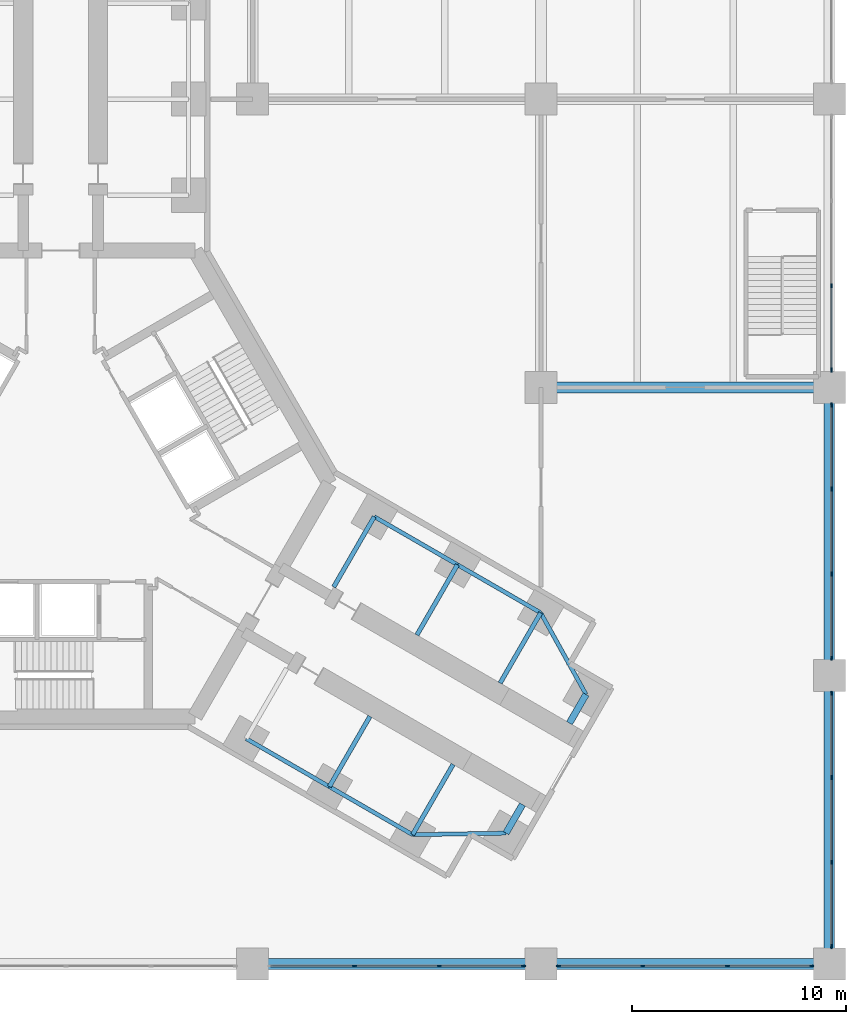
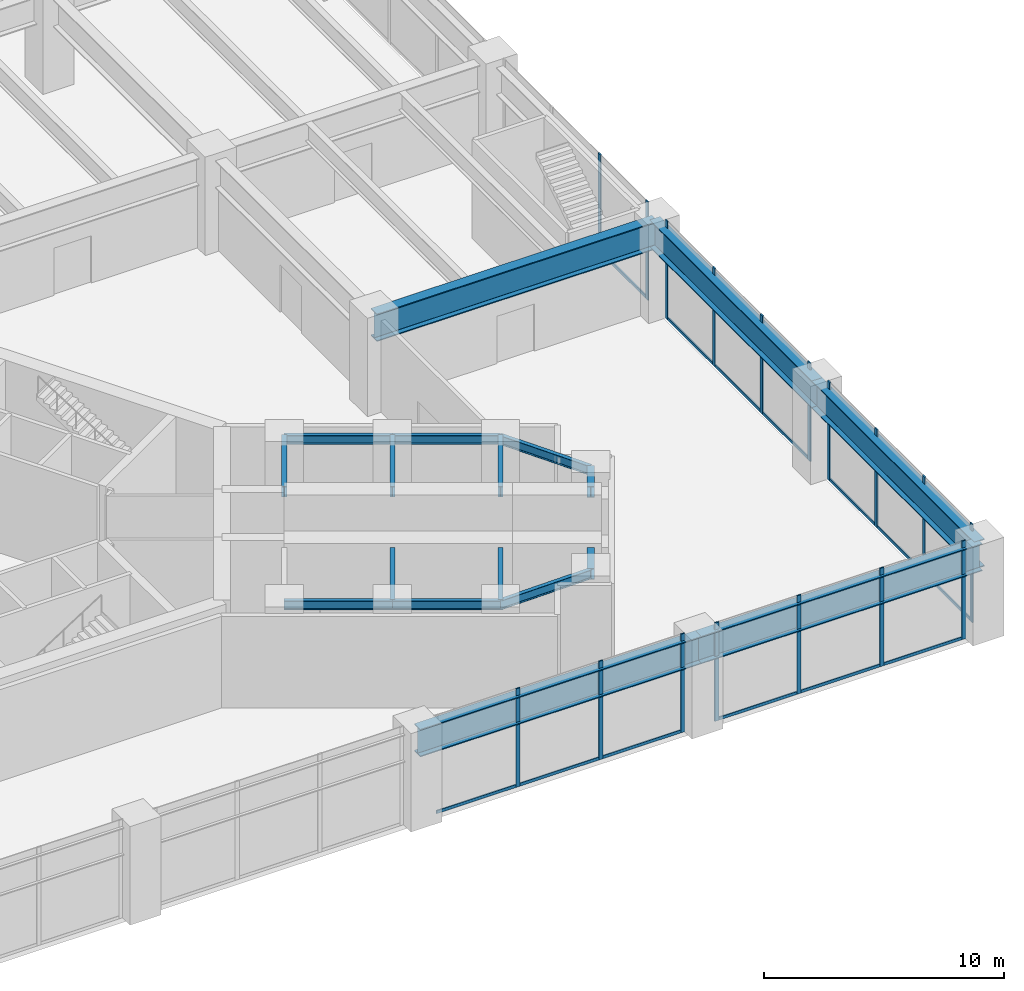
# One storey, part 10 of 31: 30 members, 18 beams, 5 elements without a shape of their own.
"""IFC4 building model written with IfcOpenShell, lengths in metres."""

from ifc_helpers import new_model, si_unit, direction, frame, origin, origin_2d, place, context, subcontext, project, spatial, rectangle, i_section, extrude, material, material_profile, profile_set, type_object, element, aggregate, save


model = new_model("IFC4")

# Units and contexts
model_context = context("Model", 3, precision=1e-05, world=origin(), true_north=direction((0.0, 1.0)))
body_context = subcontext(model_context, "Body", "Model", "MODEL_VIEW")
ifc_project = project(units=[si_unit("LENGTHUNIT", "METRE"), si_unit("AREAUNIT", "SQUARE_METRE"), si_unit("VOLUMEUNIT", "CUBIC_METRE"), si_unit("PLANEANGLEUNIT", "RADIAN"), si_unit("MASSUNIT", "GRAM", prefix="KILO")], contexts=[model_context])

# Site, building, storey
site_placement = place(None, origin())
site = spatial("IfcSite", under=ifc_project, at=site_placement, CompositionType="ELEMENT")
building_placement = place(site_placement, origin())
building = spatial("IfcBuilding", under=site, at=building_placement, Name="Upepo Twin Towers", CompositionType="ELEMENT")
storey_placement = place(building_placement, frame((0.0, 0.0, 15.5)))
storey = spatial("IfcBuildingStorey", under=building, at=storey_placement, Name="L03", CompositionType="ELEMENT", Elevation=15.5)

# Beams
ifc_material_1 = material(Name="Steel S355", Category="steel")
ifc_material_profile_1 = material_profile(ifc_material_1, i_section(OverallWidth=0.5, OverallDepth=1.39990234375, WebThickness=0.02490234375, FlangeThickness=0.050048828125, FilletRadius=0.008056640625, at=origin_2d()), Name="PG 1400x500x25x50")
ifc_profile_set_1 = profile_set([ifc_material_profile_1], Name="Steel S355")
beam_type_1 = type_object("IfcBeamType", Name="Beam PG 1400x500x25x50", PredefinedType="BEAM", material=ifc_profile_set_1)
for number, where, z_axis, x_axis, name in (
    (1, (67.5, -40.5, 3.949951171875), (1.0, 0.0, 0.0), (0.0, 1.0, 0.0), "Podium girder A/8-9"),
    (2, (81.0, -40.5, 3.949951171875), (1.0, 0.0, 0.0), (0.0, 1.0, 0.0), "Podium girder A/9-10"),
    (3, (81.0, -13.5, 3.949951171875), (1.0, 0.0, 0.0), (0.0, 1.0, 0.0), "Podium girder C/9-10"),
    (4, (94.5, -40.5, 3.949951171875), (0.0, 1.0, 0.0), (-1.0, 0.0, 0.0), "Podium girder 10/A-B"),
    (5, (94.5, -27.0, 3.949951171875), (0.0, 1.0, 0.0), (-1.0, 0.0, 0.0), "Podium girder 10/B-C"),
):
    element("IfcBeam", number, at=place(storey_placement, frame(where, z_axis=z_axis, x_axis=x_axis)), inside=storey, type_object=beam_type_1, Name=name, PredefinedType="BEAM", context=body_context, shape_type="SweptSolid", body=[
        extrude(i_section(OverallWidth=0.5, OverallDepth=1.39990234375, WebThickness=0.02490234375, FlangeThickness=0.050048828125, FilletRadius=0.008056640625, at=origin_2d()), origin(), (0.0, 0.0, 1.0), 13.5),
    ])
ifc_material_2 = material(Name="Steel S355", Category="steel")
ifc_material_profile_2 = material_profile(ifc_material_2, i_section(OverallWidth=0.1904296875, OverallDepth=0.45703125, WebThickness=0.009033203125, FlangeThickness=0.014404296875, FilletRadius=0.01025390625, at=origin_2d()), Name="UB 457x191x74")
ifc_profile_set_2 = profile_set([ifc_material_profile_2], Name="Steel S355")
beam_type_2 = type_object("IfcBeamType", Name="Beam UB 457x191x74", PredefinedType="BEAM", material=ifc_profile_set_2)
beam_1_placement = place(storey_placement, frame((73.19140625, -19.553955078125, 4.571533203125), z_axis=(0.866017533419, -0.500013631625, 0.0), x_axis=(0.500013631625, 0.866017533419, 0.0)))
element("IfcBeam", 6, at=beam_1_placement, inside=storey, type_object=beam_type_2, Name="T2 edge beam CL 13.5-18.0", PredefinedType="BEAM", context=body_context, shape_type="SweptSolid", body=[
    extrude(i_section(OverallWidth=0.1904296875, OverallDepth=0.45703125, WebThickness=0.009033203125, FlangeThickness=0.014404296875, FilletRadius=0.01025390625, at=origin_2d()), origin(), (0.0, 0.0, 1.0), 4.499755859375),
])
beam_2_placement = place(storey_placement, frame((77.08837890625, -21.803955078125, 4.571533203125), z_axis=(0.866031096941, -0.499990139034, 0.0), x_axis=(0.499990139034, 0.866031096941, 0.0)))
element("IfcBeam", 7, at=beam_2_placement, inside=storey, type_object=beam_type_2, Name="T2 edge beam CL 18.0-22.5", PredefinedType="BEAM", context=body_context, shape_type="SweptSolid", body=[
    extrude(i_section(OverallWidth=0.1904296875, OverallDepth=0.45703125, WebThickness=0.009033203125, FlangeThickness=0.014404296875, FilletRadius=0.01025390625, at=origin_2d()), origin(), (0.0, 0.0, 1.0), 4.5),
])
beam_3_placement = place(storey_placement, frame((80.985595703125, -24.053955078125, 4.571533203125), z_axis=(0.485363242752, -0.874312600038, 0.0), x_axis=(0.874312600038, 0.485363242752, 0.0)))
element("IfcBeam", 8, at=beam_3_placement, inside=storey, type_object=beam_type_2, Name="T2 nose edge beam CL", PredefinedType="BEAM", context=body_context, shape_type="SweptSolid", body=[
    extrude(i_section(OverallWidth=0.1904296875, OverallDepth=0.45703125, WebThickness=0.009033203125, FlangeThickness=0.014404296875, FilletRadius=0.01025390625, at=origin_2d()), origin(), (0.0, 0.0, 1.0), 4.373046875),
])
beam_4_placement = place(storey_placement, frame((67.19140625, -29.946044921875, 4.571533203125), z_axis=(0.866017533419, -0.500013631625, 0.0), x_axis=(0.500013631625, 0.866017533419, 0.0)))
element("IfcBeam", 9, at=beam_4_placement, inside=storey, type_object=beam_type_2, Name="T2 edge beam CR 13.5-18.0", PredefinedType="BEAM", context=body_context, shape_type="SweptSolid", body=[
    extrude(i_section(OverallWidth=0.1904296875, OverallDepth=0.45703125, WebThickness=0.009033203125, FlangeThickness=0.014404296875, FilletRadius=0.01025390625, at=origin_2d()), origin(), (0.0, 0.0, 1.0), 4.499755859375),
])
beam_5_placement = place(storey_placement, frame((71.08837890625, -32.196044921875, 4.571533203125), z_axis=(0.866031096941, -0.499990139034, 0.0), x_axis=(0.499990139034, 0.866031096941, 0.0)))
element("IfcBeam", 10, at=beam_5_placement, inside=storey, type_object=beam_type_2, Name="T2 edge beam CR 18.0-22.5", PredefinedType="BEAM", context=body_context, shape_type="SweptSolid", body=[
    extrude(i_section(OverallWidth=0.1904296875, OverallDepth=0.45703125, WebThickness=0.009033203125, FlangeThickness=0.014404296875, FilletRadius=0.01025390625, at=origin_2d()), origin(), (0.0, 0.0, 1.0), 4.5),
])
beam_6_placement = place(storey_placement, frame((74.985595703125, -34.446044921875, 4.571533203125), z_axis=(0.999858804832, 0.016803880528, 0.0), x_axis=(-0.016803880528, 0.999858804832, 0.0)))
element("IfcBeam", 11, at=beam_6_placement, inside=storey, type_object=beam_type_2, Name="T2 nose edge beam CR", PredefinedType="BEAM", context=body_context, shape_type="SweptSolid", body=[
    extrude(i_section(OverallWidth=0.1904296875, OverallDepth=0.45703125, WebThickness=0.009033203125, FlangeThickness=0.014404296875, FilletRadius=0.01025390625, at=origin_2d()), origin(), (0.0, 0.0, 1.0), 4.373291015625),
])
ifc_material_3 = material(Name="Steel S355", Category="steel")
ifc_material_profile_3 = material_profile(ifc_material_3, i_section(OverallWidth=0.209228515625, OverallDepth=0.533203125, WebThickness=0.010009765625, FlangeThickness=0.015625, FilletRadius=0.0126953125, at=origin_2d()), Name="UB 533x210x92")
ifc_profile_set_3 = profile_set([ifc_material_profile_3], Name="Steel S355")
beam_type_3 = type_object("IfcBeamType", Name="Beam UB 533x210x92", PredefinedType="BEAM", material=ifc_profile_set_3)
beam_7_placement = place(storey_placement, frame((73.19140625, -19.553955078125, 4.533447265625), z_axis=(-0.500043160704, -0.866000483506, 0.0), x_axis=(0.866000483506, -0.500043160704, 0.0)))
element("IfcBeam", 12, at=beam_7_placement, inside=storey, type_object=beam_type_3, Name="T2 girder CL at 13.5", PredefinedType="BEAM", context=body_context, shape_type="SweptSolid", body=[
    extrude(i_section(OverallWidth=0.209228515625, OverallDepth=0.533203125, WebThickness=0.010009765625, FlangeThickness=0.015625, FilletRadius=0.0126953125, at=origin_2d()), origin(), (0.0, 0.0, 1.0), 3.800048828125),
])
for number, where, z_axis, x_axis, name in (
    (13, (77.08837890625, -21.803955078125, 4.533447265625), (-0.499994975061, -0.866028304915, 0.0), (0.866028304915, -0.499994975061, 0.0), "T2 girder CL at 18.0"),
    (14, (80.985595703125, -24.053955078125, 4.533447265625), (-0.499994975061, -0.866028304915, 0.0), (0.866028304915, -0.499994975061, 0.0), "T2 girder CL at 22.5"),
):
    element("IfcBeam", number, at=place(storey_placement, frame(where, z_axis=z_axis, x_axis=x_axis)), inside=storey, type_object=beam_type_3, Name=name, PredefinedType="BEAM", context=body_context, shape_type="SweptSolid", body=[
        extrude(i_section(OverallWidth=0.209228515625, OverallDepth=0.533203125, WebThickness=0.010009765625, FlangeThickness=0.015625, FilletRadius=0.0126953125, at=origin_2d()), origin(), (0.0, 0.0, 1.0), 3.7998046875),
    ])
beam_8_placement = place(storey_placement, frame((71.08837890625, -32.196044921875, 4.533447265625), z_axis=(0.500043160704, 0.866000483506, 0.0), x_axis=(-0.866000483506, 0.500043160704, 0.0)))
element("IfcBeam", 15, at=beam_8_placement, inside=storey, type_object=beam_type_3, Name="T2 girder CR at 18.0", PredefinedType="BEAM", context=body_context, shape_type="SweptSolid", body=[
    extrude(i_section(OverallWidth=0.209228515625, OverallDepth=0.533203125, WebThickness=0.010009765625, FlangeThickness=0.015625, FilletRadius=0.0126953125, at=origin_2d()), origin(), (0.0, 0.0, 1.0), 3.800048828125),
])
beam_9_placement = place(storey_placement, frame((74.985595703125, -34.446044921875, 4.533447265625), z_axis=(0.499994975061, 0.866028304915, 0.0), x_axis=(-0.866028304915, 0.499994975061, 0.0)))
element("IfcBeam", 16, at=beam_9_placement, inside=storey, type_object=beam_type_3, Name="T2 girder CR at 22.5", PredefinedType="BEAM", context=body_context, shape_type="SweptSolid", body=[
    extrude(i_section(OverallWidth=0.209228515625, OverallDepth=0.533203125, WebThickness=0.010009765625, FlangeThickness=0.015625, FilletRadius=0.0126953125, at=origin_2d()), origin(), (0.0, 0.0, 1.0), 3.7998046875),
])
ifc_material_4 = material(Name="Steel S355", Category="steel")
ifc_material_profile_4 = material_profile(ifc_material_4, i_section(OverallWidth=0.31201171875, OverallDepth=0.54345703125, WebThickness=0.0126953125, FlangeThickness=0.020263671875, FilletRadius=0.0126953125, at=origin_2d()), Name="UB 533x312x150")
ifc_profile_set_4 = profile_set([ifc_material_profile_4], Name="Steel S355")
beam_type_4 = type_object("IfcBeamType", Name="Beam UB 533x312x150", PredefinedType="BEAM", material=ifc_profile_set_4)
for number, where, z_axis, x_axis, name in (
    (17, (83.108154296875, -27.87744140625, 4.5283203125), (-0.499967891604, -0.866043940782, 0.0), (0.866043940782, -0.499967891604, 0.0), "T2 nose beam CL"),
    (18, (79.358154296875, -34.37255859375, 4.5283203125), (0.499967891604, 0.866043940782, 0.0), (-0.866043940782, 0.499967891604, 0.0), "T2 nose beam CR"),
):
    element("IfcBeam", number, at=place(storey_placement, frame(where, z_axis=z_axis, x_axis=x_axis)), inside=storey, type_object=beam_type_4, Name=name, PredefinedType="BEAM", context=body_context, shape_type="SweptSolid", body=[
        extrude(i_section(OverallWidth=0.31201171875, OverallDepth=0.54345703125, WebThickness=0.0126953125, FlangeThickness=0.020263671875, FilletRadius=0.0126953125, at=origin_2d()), origin(), (0.0, 0.0, 1.0), 1.5498046875),
    ])

# Curtain wall, members
ifc_material_5 = material(Name="Aluminium and clear glass", Category="aluminium")
curtain_wall_type = type_object("IfcCurtainWallType", Name="Podium curtain wall PW1", PredefinedType="NOTDEFINED", material=ifc_material_5)
curtain_wall_1_placement = place(storey_placement, origin())
curtain_wall_1 = element("IfcCurtainWall", 19, at=curtain_wall_1_placement, inside=storey, type_object=curtain_wall_type, Name="Podium L03 curtain wall S8", PredefinedType="NOTDEFINED")
ifc_material_6 = material(Name="Aluminium mullion", Category="aluminium")
ifc_material_profile_5 = material_profile(ifc_material_6, rectangle(XDim=0.06494140625, YDim=0.199951171875, at=origin_2d()), Name="MULLION 65x200 PODIUM")
ifc_profile_set_5 = profile_set([ifc_material_profile_5], Name="Aluminium mullion")
member_type_1 = type_object("IfcMemberType", Name="Mullion 65x200 PW1", PredefinedType="MULLION", material=ifc_profile_set_5)
member_1_placement = place(storey_placement, frame((72.26171875, -40.60009765625, 0.0), z_axis=(0.0, 0.0, 1.0), x_axis=(0.0, 1.0, 0.0)))
member_1 = element("IfcMember", 20, at=member_1_placement, type_object=member_type_1, Name="Podium L03 curtain wall S8 mullion 2", PredefinedType="MULLION", context=body_context, shape_type="SweptSolid", body=[
    extrude(rectangle(XDim=0.06494140625, YDim=0.199951171875, at=origin_2d()), origin(), (0.0, 0.0, 1.0), 5.0),
])
member_2_placement = place(storey_placement, frame((76.23828125, -40.60009765625, 0.0), z_axis=(0.0, 0.0, 1.0), x_axis=(0.0, 1.0, 0.0)))
member_2 = element("IfcMember", 21, at=member_2_placement, type_object=member_type_1, Name="Podium L03 curtain wall S8 mullion 3", PredefinedType="MULLION", context=body_context, shape_type="SweptSolid", body=[
    extrude(rectangle(XDim=0.06494140625, YDim=0.199951171875, at=origin_2d()), origin(), (0.0, 0.0, 1.0), 5.0),
])
member_3_placement = place(storey_placement, frame((80.1826171875, -40.60009765625, 0.0), z_axis=(0.0, 0.0, 1.0), x_axis=(0.0, 1.0, 0.0)))
member_3 = element("IfcMember", 22, at=member_3_placement, type_object=member_type_1, Name="Podium L03 curtain wall S8 mullion 4", PredefinedType="MULLION", context=body_context, shape_type="SweptSolid", body=[
    extrude(rectangle(XDim=0.06494140625, YDim=0.199951171875, at=origin_2d()), origin(), (0.0, 0.0, 1.0), 5.0),
])

curtain_wall_2_placement = place(storey_placement, origin())
curtain_wall_2 = element("IfcCurtainWall", 23, at=curtain_wall_2_placement, inside=storey, type_object=curtain_wall_type, Name="Podium L03 curtain wall S9", PredefinedType="NOTDEFINED")
member_4_placement = place(storey_placement, frame((81.8173828125, -40.60009765625, 0.0), z_axis=(0.0, 0.0, 1.0), x_axis=(0.0, 1.0, 0.0)))
member_4 = element("IfcMember", 24, at=member_4_placement, type_object=member_type_1, Name="Podium L03 curtain wall S9 mullion 1", PredefinedType="MULLION", context=body_context, shape_type="SweptSolid", body=[
    extrude(rectangle(XDim=0.06494140625, YDim=0.199951171875, at=origin_2d()), origin(), (0.0, 0.0, 1.0), 5.0),
])
member_5_placement = place(storey_placement, frame((85.76171875, -40.60009765625, 0.0), z_axis=(0.0, 0.0, 1.0), x_axis=(0.0, 1.0, 0.0)))
member_5 = element("IfcMember", 25, at=member_5_placement, type_object=member_type_1, Name="Podium L03 curtain wall S9 mullion 2", PredefinedType="MULLION", context=body_context, shape_type="SweptSolid", body=[
    extrude(rectangle(XDim=0.06494140625, YDim=0.199951171875, at=origin_2d()), origin(), (0.0, 0.0, 1.0), 5.0),
])
member_6_placement = place(storey_placement, frame((89.73828125, -40.60009765625, 0.0), z_axis=(0.0, 0.0, 1.0), x_axis=(0.0, 1.0, 0.0)))
member_6 = element("IfcMember", 26, at=member_6_placement, type_object=member_type_1, Name="Podium L03 curtain wall S9 mullion 3", PredefinedType="MULLION", context=body_context, shape_type="SweptSolid", body=[
    extrude(rectangle(XDim=0.06494140625, YDim=0.199951171875, at=origin_2d()), origin(), (0.0, 0.0, 1.0), 5.0),
])
member_7_placement = place(storey_placement, frame((93.6826171875, -40.60009765625, 0.0), z_axis=(0.0, 0.0, 1.0), x_axis=(0.0, 1.0, 0.0)))
member_7 = element("IfcMember", 27, at=member_7_placement, type_object=member_type_1, Name="Podium L03 curtain wall S9 mullion 4", PredefinedType="MULLION", context=body_context, shape_type="SweptSolid", body=[
    extrude(rectangle(XDim=0.06494140625, YDim=0.199951171875, at=origin_2d()), origin(), (0.0, 0.0, 1.0), 5.0),
])

curtain_wall_3_placement = place(storey_placement, origin())
curtain_wall_3 = element("IfcCurtainWall", 28, at=curtain_wall_3_placement, inside=storey, type_object=curtain_wall_type, Name="Podium L03 curtain wall E1", PredefinedType="NOTDEFINED")
member_8_placement = place(storey_placement, frame((94.60009765625, -39.6826171875, 0.0), z_axis=(0.0, 0.0, 1.0), x_axis=(-1.0, 0.0, 0.0)))
member_8 = element("IfcMember", 29, at=member_8_placement, type_object=member_type_1, Name="Podium L03 curtain wall E1 mullion 1", PredefinedType="MULLION", context=body_context, shape_type="SweptSolid", body=[
    extrude(rectangle(XDim=0.06494140625, YDim=0.199951171875, at=origin_2d()), origin(), (0.0, 0.0, 1.0), 5.0),
])
member_9_placement = place(storey_placement, frame((94.60009765625, -35.73828125, 0.0), z_axis=(0.0, 0.0, 1.0), x_axis=(-1.0, 0.0, 0.0)))
member_9 = element("IfcMember", 30, at=member_9_placement, type_object=member_type_1, Name="Podium L03 curtain wall E1 mullion 2", PredefinedType="MULLION", context=body_context, shape_type="SweptSolid", body=[
    extrude(rectangle(XDim=0.06494140625, YDim=0.199951171875, at=origin_2d()), origin(), (0.0, 0.0, 1.0), 5.0),
])
member_10_placement = place(storey_placement, frame((94.60009765625, -31.76171875, 0.0), z_axis=(0.0, 0.0, 1.0), x_axis=(-1.0, 0.0, 0.0)))
member_10 = element("IfcMember", 31, at=member_10_placement, type_object=member_type_1, Name="Podium L03 curtain wall E1 mullion 3", PredefinedType="MULLION", context=body_context, shape_type="SweptSolid", body=[
    extrude(rectangle(XDim=0.06494140625, YDim=0.199951171875, at=origin_2d()), origin(), (0.0, 0.0, 1.0), 5.0),
])
member_11_placement = place(storey_placement, frame((94.60009765625, -27.8173828125, 0.0), z_axis=(0.0, 0.0, 1.0), x_axis=(-1.0, 0.0, 0.0)))
member_11 = element("IfcMember", 32, at=member_11_placement, type_object=member_type_1, Name="Podium L03 curtain wall E1 mullion 4", PredefinedType="MULLION", context=body_context, shape_type="SweptSolid", body=[
    extrude(rectangle(XDim=0.06494140625, YDim=0.199951171875, at=origin_2d()), origin(), (0.0, 0.0, 1.0), 5.0),
])

curtain_wall_4_placement = place(storey_placement, origin())
curtain_wall_4 = element("IfcCurtainWall", 33, at=curtain_wall_4_placement, inside=storey, type_object=curtain_wall_type, Name="Podium L03 curtain wall E2", PredefinedType="NOTDEFINED")
member_12_placement = place(storey_placement, frame((94.60009765625, -26.1826171875, 0.0), z_axis=(0.0, 0.0, 1.0), x_axis=(-1.0, 0.0, 0.0)))
member_12 = element("IfcMember", 34, at=member_12_placement, type_object=member_type_1, Name="Podium L03 curtain wall E2 mullion 1", PredefinedType="MULLION", context=body_context, shape_type="SweptSolid", body=[
    extrude(rectangle(XDim=0.06494140625, YDim=0.199951171875, at=origin_2d()), origin(), (0.0, 0.0, 1.0), 5.0),
])
member_13_placement = place(storey_placement, frame((94.60009765625, -22.23828125, 0.0), z_axis=(0.0, 0.0, 1.0), x_axis=(-1.0, 0.0, 0.0)))
member_13 = element("IfcMember", 35, at=member_13_placement, type_object=member_type_1, Name="Podium L03 curtain wall E2 mullion 2", PredefinedType="MULLION", context=body_context, shape_type="SweptSolid", body=[
    extrude(rectangle(XDim=0.06494140625, YDim=0.199951171875, at=origin_2d()), origin(), (0.0, 0.0, 1.0), 5.0),
])
member_14_placement = place(storey_placement, frame((94.60009765625, -18.26171875, 0.0), z_axis=(0.0, 0.0, 1.0), x_axis=(-1.0, 0.0, 0.0)))
member_14 = element("IfcMember", 36, at=member_14_placement, type_object=member_type_1, Name="Podium L03 curtain wall E2 mullion 3", PredefinedType="MULLION", context=body_context, shape_type="SweptSolid", body=[
    extrude(rectangle(XDim=0.06494140625, YDim=0.199951171875, at=origin_2d()), origin(), (0.0, 0.0, 1.0), 5.0),
])
member_15_placement = place(storey_placement, frame((94.60009765625, -14.3173828125, 0.0), z_axis=(0.0, 0.0, 1.0), x_axis=(-1.0, 0.0, 0.0)))
member_15 = element("IfcMember", 37, at=member_15_placement, type_object=member_type_1, Name="Podium L03 curtain wall E2 mullion 4", PredefinedType="MULLION", context=body_context, shape_type="SweptSolid", body=[
    extrude(rectangle(XDim=0.06494140625, YDim=0.199951171875, at=origin_2d()), origin(), (0.0, 0.0, 1.0), 5.0),
])

curtain_wall_5_placement = place(storey_placement, origin())
curtain_wall_5 = element("IfcCurtainWall", 38, at=curtain_wall_5_placement, inside=storey, type_object=curtain_wall_type, Name="Podium L03 curtain wall E3", PredefinedType="NOTDEFINED")
member_16_placement = place(storey_placement, frame((94.60009765625, -12.6826171875, 0.0), z_axis=(0.0, 0.0, 1.0), x_axis=(-1.0, 0.0, 0.0)))
member_16 = element("IfcMember", 39, at=member_16_placement, type_object=member_type_1, Name="Podium L03 curtain wall E3 mullion 1", PredefinedType="MULLION", context=body_context, shape_type="SweptSolid", body=[
    extrude(rectangle(XDim=0.06494140625, YDim=0.199951171875, at=origin_2d()), origin(), (0.0, 0.0, 1.0), 5.0),
])
member_17_placement = place(storey_placement, frame((94.60009765625, -8.73828125, 0.0), z_axis=(0.0, 0.0, 1.0), x_axis=(-1.0, 0.0, 0.0)))
member_17 = element("IfcMember", 40, at=member_17_placement, type_object=member_type_1, Name="Podium L03 curtain wall E3 mullion 2", PredefinedType="MULLION", context=body_context, shape_type="SweptSolid", body=[
    extrude(rectangle(XDim=0.06494140625, YDim=0.199951171875, at=origin_2d()), origin(), (0.0, 0.0, 1.0), 5.0),
])

# Member
ifc_material_7 = material(Name="Aluminium transom", Category="aluminium")
ifc_material_profile_6 = material_profile(ifc_material_7, rectangle(XDim=0.06494140625, YDim=0.14990234375, at=origin_2d()), Name="TRANSOM 65x150 PODIUM")
ifc_profile_set_6 = profile_set([ifc_material_profile_6], Name="Aluminium transom")
member_type_2 = type_object("IfcMemberType", Name="Transom 65x150 PW1", PredefinedType="USERDEFINED", material=ifc_profile_set_6)
member_18_placement = place(storey_placement, frame((68.35009765625, -40.60009765625, 0.074951171875), z_axis=(1.0, 0.0, 0.0), x_axis=(0.0, 1.0, 0.0)))
member_18 = element("IfcMember", 41, at=member_18_placement, type_object=member_type_2, Name="Podium L03 curtain wall S8 transom 1", ObjectType="TRANSOM", PredefinedType="USERDEFINED", context=body_context, shape_type="SweptSolid", body=[
    extrude(rectangle(XDim=0.06494140625, YDim=0.14990234375, at=origin_2d()), origin(), (0.0, 0.0, 1.0), 3.879150390625),
])

member_19_placement = place(storey_placement, frame((72.294189453125, -40.60009765625, 0.074951171875), z_axis=(1.0, 0.0, 0.0), x_axis=(0.0, 1.0, 0.0)))
member_19 = element("IfcMember", 42, at=member_19_placement, type_object=member_type_2, Name="Podium L03 curtain wall S8 transom 2", ObjectType="TRANSOM", PredefinedType="USERDEFINED", context=body_context, shape_type="SweptSolid", body=[
    extrude(rectangle(XDim=0.06494140625, YDim=0.14990234375, at=origin_2d()), origin(), (0.0, 0.0, 1.0), 3.91162109375),
])

member_20_placement = place(storey_placement, frame((76.270751953125, -40.60009765625, 0.074951171875), z_axis=(1.0, 0.0, 0.0), x_axis=(0.0, 1.0, 0.0)))
member_20 = element("IfcMember", 43, at=member_20_placement, type_object=member_type_2, Name="Podium L03 curtain wall S8 transom 3", ObjectType="TRANSOM", PredefinedType="USERDEFINED", context=body_context, shape_type="SweptSolid", body=[
    extrude(rectangle(XDim=0.06494140625, YDim=0.14990234375, at=origin_2d()), origin(), (0.0, 0.0, 1.0), 3.879150390625),
])

aggregate(curtain_wall_1, [member_1, member_2, member_3, member_18, member_19, member_20])

member_21_placement = place(storey_placement, frame((81.85009765625, -40.60009765625, 0.074951171875), z_axis=(1.0, 0.0, 0.0), x_axis=(0.0, 1.0, 0.0)))
member_21 = element("IfcMember", 44, at=member_21_placement, type_object=member_type_2, Name="Podium L03 curtain wall S9 transom 1", ObjectType="TRANSOM", PredefinedType="USERDEFINED", context=body_context, shape_type="SweptSolid", body=[
    extrude(rectangle(XDim=0.06494140625, YDim=0.14990234375, at=origin_2d()), origin(), (0.0, 0.0, 1.0), 3.879150390625),
])

member_22_placement = place(storey_placement, frame((85.794189453125, -40.60009765625, 0.074951171875), z_axis=(1.0, 0.0, 0.0), x_axis=(0.0, 1.0, 0.0)))
member_22 = element("IfcMember", 45, at=member_22_placement, type_object=member_type_2, Name="Podium L03 curtain wall S9 transom 2", ObjectType="TRANSOM", PredefinedType="USERDEFINED", context=body_context, shape_type="SweptSolid", body=[
    extrude(rectangle(XDim=0.06494140625, YDim=0.14990234375, at=origin_2d()), origin(), (0.0, 0.0, 1.0), 3.91162109375),
])

member_23_placement = place(storey_placement, frame((89.770751953125, -40.60009765625, 0.074951171875), z_axis=(1.0, 0.0, 0.0), x_axis=(0.0, 1.0, 0.0)))
member_23 = element("IfcMember", 46, at=member_23_placement, type_object=member_type_2, Name="Podium L03 curtain wall S9 transom 3", ObjectType="TRANSOM", PredefinedType="USERDEFINED", context=body_context, shape_type="SweptSolid", body=[
    extrude(rectangle(XDim=0.06494140625, YDim=0.14990234375, at=origin_2d()), origin(), (0.0, 0.0, 1.0), 3.879150390625),
])

aggregate(curtain_wall_2, [member_4, member_5, member_6, member_7, member_21, member_22, member_23])

member_24_placement = place(storey_placement, frame((94.60009765625, -39.64990234375, 0.074951171875), z_axis=(0.0, 1.0, 0.0), x_axis=(-1.0, 0.0, 0.0)))
member_24 = element("IfcMember", 47, at=member_24_placement, type_object=member_type_2, Name="Podium L03 curtain wall E1 transom 1", ObjectType="TRANSOM", PredefinedType="USERDEFINED", context=body_context, shape_type="SweptSolid", body=[
    extrude(rectangle(XDim=0.06494140625, YDim=0.14990234375, at=origin_2d()), origin(), (0.0, 0.0, 1.0), 3.879150390625),
])

member_25_placement = place(storey_placement, frame((94.60009765625, -35.705810546875, 0.074951171875), z_axis=(0.0, 1.0, 0.0), x_axis=(-1.0, 0.0, 0.0)))
member_25 = element("IfcMember", 48, at=member_25_placement, type_object=member_type_2, Name="Podium L03 curtain wall E1 transom 2", ObjectType="TRANSOM", PredefinedType="USERDEFINED", context=body_context, shape_type="SweptSolid", body=[
    extrude(rectangle(XDim=0.06494140625, YDim=0.14990234375, at=origin_2d()), origin(), (0.0, 0.0, 1.0), 3.91162109375),
])

member_26_placement = place(storey_placement, frame((94.60009765625, -31.729248046875, 0.074951171875), z_axis=(0.0, 1.0, 0.0), x_axis=(-1.0, 0.0, 0.0)))
member_26 = element("IfcMember", 49, at=member_26_placement, type_object=member_type_2, Name="Podium L03 curtain wall E1 transom 3", ObjectType="TRANSOM", PredefinedType="USERDEFINED", context=body_context, shape_type="SweptSolid", body=[
    extrude(rectangle(XDim=0.06494140625, YDim=0.14990234375, at=origin_2d()), origin(), (0.0, 0.0, 1.0), 3.879150390625),
])

aggregate(curtain_wall_3, [member_8, member_9, member_10, member_11, member_24, member_25, member_26])

member_27_placement = place(storey_placement, frame((94.60009765625, -26.14990234375, 0.074951171875), z_axis=(0.0, 1.0, 0.0), x_axis=(-1.0, 0.0, 0.0)))
member_27 = element("IfcMember", 50, at=member_27_placement, type_object=member_type_2, Name="Podium L03 curtain wall E2 transom 1", ObjectType="TRANSOM", PredefinedType="USERDEFINED", context=body_context, shape_type="SweptSolid", body=[
    extrude(rectangle(XDim=0.06494140625, YDim=0.14990234375, at=origin_2d()), origin(), (0.0, 0.0, 1.0), 3.879150390625),
])

member_28_placement = place(storey_placement, frame((94.60009765625, -22.205810546875, 0.074951171875), z_axis=(0.0, 1.0, 0.0), x_axis=(-1.0, 0.0, 0.0)))
member_28 = element("IfcMember", 51, at=member_28_placement, type_object=member_type_2, Name="Podium L03 curtain wall E2 transom 2", ObjectType="TRANSOM", PredefinedType="USERDEFINED", context=body_context, shape_type="SweptSolid", body=[
    extrude(rectangle(XDim=0.06494140625, YDim=0.14990234375, at=origin_2d()), origin(), (0.0, 0.0, 1.0), 3.91162109375),
])

member_29_placement = place(storey_placement, frame((94.60009765625, -18.229248046875, 0.074951171875), z_axis=(0.0, 1.0, 0.0), x_axis=(-1.0, 0.0, 0.0)))
member_29 = element("IfcMember", 52, at=member_29_placement, type_object=member_type_2, Name="Podium L03 curtain wall E2 transom 3", ObjectType="TRANSOM", PredefinedType="USERDEFINED", context=body_context, shape_type="SweptSolid", body=[
    extrude(rectangle(XDim=0.06494140625, YDim=0.14990234375, at=origin_2d()), origin(), (0.0, 0.0, 1.0), 3.879150390625),
])

aggregate(curtain_wall_4, [member_12, member_13, member_14, member_15, member_27, member_28, member_29])

member_30_placement = place(storey_placement, frame((94.60009765625, -12.64990234375, 0.074951171875), z_axis=(0.0, 1.0, 0.0), x_axis=(-1.0, 0.0, 0.0)))
member_30 = element("IfcMember", 53, at=member_30_placement, type_object=member_type_2, Name="Podium L03 curtain wall E3 transom 1", ObjectType="TRANSOM", PredefinedType="USERDEFINED", context=body_context, shape_type="SweptSolid", body=[
    extrude(rectangle(XDim=0.06494140625, YDim=0.14990234375, at=origin_2d()), origin(), (0.0, 0.0, 1.0), 3.879150390625),
])

aggregate(curtain_wall_5, [member_16, member_17, member_30])

save(model, "model.ifc")
